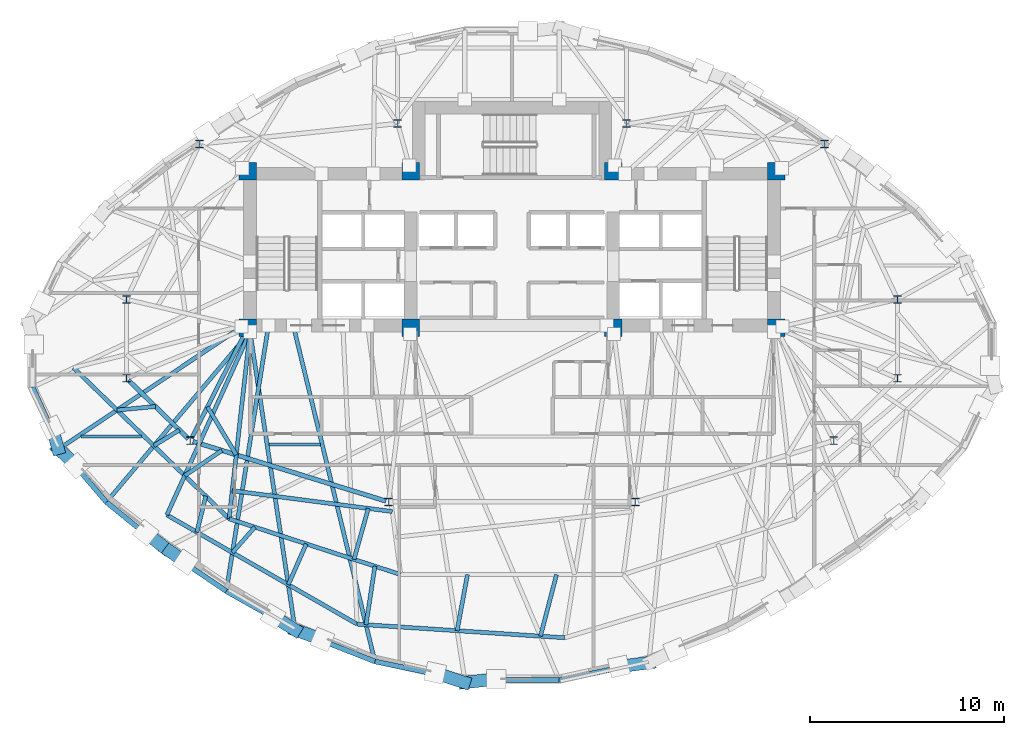
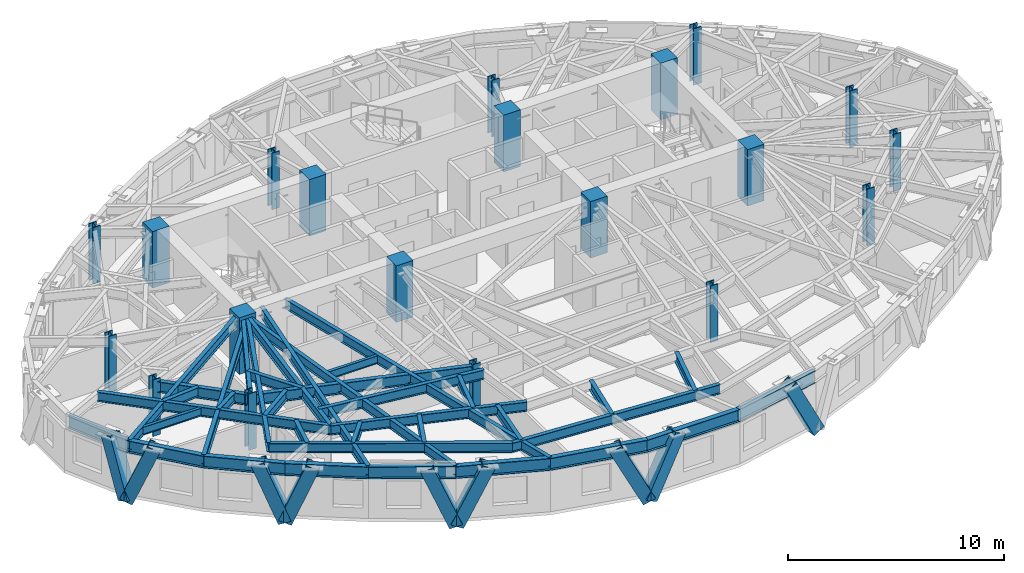
# One storey, part 1 of 14: 37 beams, 20 columns, 9 members.
"""IFC4 building model written with IfcOpenShell, lengths in metres."""

from ifc_helpers import new_model, si_unit, direction, frame, origin, origin_2d, place, context, subcontext, project, spatial, rectangle, hollow_rectangle, i_section, extrude, material, material_profile, profile_set, type_object, element, save


model = new_model("IFC4")

# Units and contexts
model_context = context("Model", 3, precision=1e-05, world=origin(), true_north=direction((0.0, 1.0)))
body_context = subcontext(model_context, "Body", "Model", "MODEL_VIEW")
ifc_project = project(units=[si_unit("LENGTHUNIT", "METRE"), si_unit("AREAUNIT", "SQUARE_METRE"), si_unit("VOLUMEUNIT", "CUBIC_METRE"), si_unit("PLANEANGLEUNIT", "RADIAN"), si_unit("MASSUNIT", "GRAM", prefix="KILO")], contexts=[model_context])

# Site, building, storey
site_placement = place(None, origin())
site = spatial("IfcSite", under=ifc_project, at=site_placement, CompositionType="ELEMENT")
building_placement = place(site_placement, origin())
building = spatial("IfcBuilding", under=site, at=building_placement, Name="Keldmark Tower", CompositionType="ELEMENT")
storey_placement = place(building_placement, frame((0.0, 0.0, 185.39990234375)))
storey = spatial("IfcBuildingStorey", under=building, at=storey_placement, Name="L51", CompositionType="ELEMENT", Elevation=185.39990234375)

# Columns
ifc_material_1 = material(Name="Concrete C50/60", Category="concrete")
ifc_material_profile_1 = material_profile(ifc_material_1, rectangle(XDim=0.89990234375, YDim=0.89990234375, at=origin_2d()), Name="RC900X900")
ifc_profile_set_1 = profile_set([ifc_material_profile_1], Name="Concrete C50/60")
column_type_1 = type_object("IfcColumnType", Name="Core Boundary Column RC900", PredefinedType="COLUMN", material=ifc_profile_set_1)
for number, where, z_axis, x_axis, name in (
    (1, (-13.60009765625, 1.39990234375, 0.0), (0.0, 0.0, 1.0), (1.0, 0.0, 0.0), "L51 Core Boundary Column CC-W1"),
    (2, (-13.60009765625, 9.449951171875, 0.0), (0.0, 0.0, 1.0), (1.0, 0.0, 0.0), "L51 Core Boundary Column CC-W2"),
    (3, (-5.199951171875, 1.39990234375, 0.0), (0.0, 0.0, 1.0), (1.0, 0.0, 0.0), "L51 Core Boundary Column CC-W3"),
    (4, (-5.199951171875, 9.449951171875, 0.0), (0.0, 0.0, 1.0), (1.0, 0.0, 0.0), "L51 Core Boundary Column CC-W4"),
    (5, (5.199951171875, 1.39990234375, 0.0), (0.0, 0.0, 1.0), (1.0, 0.0, 0.0), "L51 Core Boundary Column CC-E1"),
    (6, (5.199951171875, 9.449951171875, 0.0), (0.0, 0.0, 1.0), (1.0, 0.0, 0.0), "L51 Core Boundary Column CC-E2"),
    (7, (13.60009765625, 1.39990234375, 0.0), (0.0, 0.0, 1.0), (1.0, 0.0, 0.0), "L51 Core Boundary Column CC-E3"),
    (8, (13.60009765625, 9.449951171875, 0.0), (0.0, 0.0, 1.0), (1.0, 0.0, 0.0), "L51 Core Boundary Column CC-E4"),
):
    element("IfcColumn", number, at=place(storey_placement, frame(where, z_axis=z_axis, x_axis=x_axis)), inside=storey, type_object=column_type_1, Name=name, PredefinedType="COLUMN", context=body_context, shape_type="SweptSolid", body=[
        extrude(rectangle(XDim=0.89990234375, YDim=0.89990234375, at=origin_2d()), origin(), (0.0, 0.0, 1.0), 3.2001953125),
    ])
ifc_material_2 = material(Name="Steel ASTM A992 Grade 50", Category="steel")
ifc_material_profile_2 = material_profile(ifc_material_2, i_section(OverallWidth=0.404052734375, OverallDepth=0.406982421875, WebThickness=0.027099609375, FlangeThickness=0.043701171875, at=origin_2d()), Name="W14X233")
ifc_profile_set_2 = profile_set([ifc_material_profile_2], Name="Steel ASTM A992 Grade 50")
column_type_2 = type_object("IfcColumnType", Name="Tower Gravity Column W14X233", PredefinedType="COLUMN", material=ifc_profile_set_2)
for number, where, z_axis, x_axis, name in (
    (9, (19.828369140625, 2.869140625, 0.0), (0.0, 0.0, 1.0), (1.0, 0.0, 0.0), "L51 Tower Gravity Column TC-E1"),
    (10, (16.08154296875, 10.861083984375, 0.0), (0.0, 0.0, 1.0), (1.0, 0.0, 0.0), "L51 Tower Gravity Column TC-E4"),
    (11, (5.880126953125, 11.915283203125, 0.0), (0.0, 0.0, 1.0), (1.0, 0.0, 0.0), "L51 Tower Gravity Column TC-N2"),
    (12, (-5.880126953125, 11.915283203125, 0.0), (0.0, 0.0, 1.0), (1.0, 0.0, 0.0), "L51 Tower Gravity Column TC-N1"),
    (13, (-16.08154296875, 10.861083984375, 0.0), (0.0, 0.0, 1.0), (1.0, 0.0, 0.0), "L51 Tower Gravity Column TC-W4"),
    (14, (-19.828369140625, 2.869140625, 0.0), (0.0, 0.0, 1.0), (1.0, 0.0, 0.0), "L51 Tower Gravity Column TC-W1"),
    (15, (-19.828369140625, -1.189208984375, 0.0), (0.0, 0.0, 1.0), (1.0, 0.0, 0.0), "L51 Tower Gravity Column TC-W5"),
    (16, (-16.546630859375, -4.3984375, 0.0), (0.0, 0.0, 1.0), (1.0, 0.0, 0.0), "L51 Tower Gravity Column TC-W2"),
    (17, (-6.351318359375, -7.546142578125, 0.0), (0.0, 0.0, 1.0), (1.0, 0.0, 0.0), "L51 Tower Gravity Column TC-W3"),
    (18, (6.351318359375, -7.546142578125, 0.0), (0.0, 0.0, 1.0), (1.0, 0.0, 0.0), "L51 Tower Gravity Column TC-E3"),
    (19, (16.546630859375, -4.3984375, 0.0), (0.0, 0.0, 1.0), (1.0, 0.0, 0.0), "L51 Tower Gravity Column TC-E2"),
    (20, (19.828369140625, -1.189208984375, 0.0), (0.0, 0.0, 1.0), (1.0, 0.0, 0.0), "L51 Tower Gravity Column TC-E5"),
):
    element("IfcColumn", number, at=place(storey_placement, frame(where, z_axis=z_axis, x_axis=x_axis)), inside=storey, type_object=column_type_2, Name=name, PredefinedType="COLUMN", context=body_context, shape_type="SweptSolid", body=[
        extrude(i_section(OverallWidth=0.404052734375, OverallDepth=0.406982421875, WebThickness=0.027099609375, FlangeThickness=0.043701171875, at=origin_2d()), origin(), (0.0, 0.0, 1.0), 3.2001953125),
    ])

# Beams
ifc_material_3 = material(Name="Steel ASTM A992 Grade 50", Category="steel")
ifc_material_profile_3 = material_profile(ifc_material_3, i_section(OverallWidth=0.153076171875, OverallDepth=0.455078125, WebThickness=0.008056640625, FlangeThickness=0.01318359375, at=origin_2d()), Name="W18X40")
ifc_profile_set_3 = profile_set([ifc_material_profile_3], Name="Steel ASTM A992 Grade 50")
beam_type_1 = type_object("IfcBeamType", Name="Composite Floor Joist W18X40", PredefinedType="JOIST", material=ifc_profile_set_3)
beam_1_placement = place(storey_placement, frame((-22.165283203125, -4.179931640625, 2.79248046875), z_axis=(1.0, 0.0, 0.0), x_axis=(0.0, 1.0, 0.0)))
element("IfcBeam", 21, at=beam_1_placement, inside=storey, type_object=beam_type_1, Name="L51 Composite Floor Joist J01", PredefinedType="JOIST", context=body_context, shape_type="SweptSolid", body=[
    extrude(i_section(OverallWidth=0.153076171875, OverallDepth=0.455078125, WebThickness=0.008056640625, FlangeThickness=0.01318359375, at=origin_2d()), origin(), (0.0, 0.0, 1.0), 3.110107421875),
])
beam_2_placement = place(storey_placement, frame((-12.49951171875, -4.60009765625, 2.79248046875), z_axis=(1.0, 0.0, 0.0), x_axis=(0.0, 1.0, 0.0)))
element("IfcBeam", 22, at=beam_2_placement, inside=storey, type_object=beam_type_1, Name="L51 Composite Floor Joist J02", PredefinedType="JOIST", context=body_context, shape_type="SweptSolid", body=[
    extrude(i_section(OverallWidth=0.153076171875, OverallDepth=0.455078125, WebThickness=0.008056640625, FlangeThickness=0.01318359375, at=origin_2d()), origin(), (0.0, 0.0, 1.0), 2.639404296875),
])

# Members
ifc_material_4 = material(Name="Steel ASTM A572 Grade 50", Category="steel")
ifc_material_profile_4 = material_profile(ifc_material_4, hollow_rectangle(XDim=0.64990234375, YDim=0.64990234375, WallThickness=0.0400390625, at=origin_2d()), Name="BOX650X650X40")
ifc_profile_set_4 = profile_set([ifc_material_profile_4], Name="Steel ASTM A572 Grade 50")
member_type = type_object("IfcMemberType", Name="Diagrid Zone 3 Brace BOX650X650X40", PredefinedType="BRACE", material=ifc_profile_set_4)
member_1_placement = place(storey_placement, frame((-23.350830078125, -4.808349609375, -0.260009765625), z_axis=(-0.089996271343, 0.321904138841, 0.942485223514), x_axis=(-0.963070279152, -0.269250139116, 0.0)))
element("IfcMember", 23, at=member_1_placement, inside=storey, type_object=member_type, Name="L51 Perimeter Diagrid Brace 09A", PredefinedType="BRACE", context=body_context, shape_type="SweptSolid", body=[
    extrude(hollow_rectangle(XDim=0.64990234375, YDim=0.64990234375, WallThickness=0.0400390625, at=origin_2d()), origin(), (0.0, 0.0, 1.0), 3.35302734375),
])
member_2_placement = place(storey_placement, frame((-23.353271484375, -4.796875, -0.260009765625), z_axis=(0.281525209892, -0.260621285285, 0.923482594233), x_axis=(0.67933756966, 0.733825910178, 0.0)))
element("IfcMember", 24, at=member_2_placement, inside=storey, type_object=member_type, Name="L51 Perimeter Diagrid Brace 09B", PredefinedType="BRACE", context=body_context, shape_type="SweptSolid", body=[
    extrude(hollow_rectangle(XDim=0.64990234375, YDim=0.64990234375, WallThickness=0.0400390625, at=origin_2d()), origin(), (0.0, 0.0, 1.0), 3.422119140625),
])
member_3_placement = place(storey_placement, frame((-17.83837890625, -9.92578125, -0.260009765625), z_axis=(-0.293490817349, 0.232528970738, 0.927250461256), x_axis=(-0.621001812969, -0.78380912746, 0.0)))
element("IfcMember", 25, at=member_3_placement, inside=storey, type_object=member_type, Name="L51 Perimeter Diagrid Brace 10A", PredefinedType="BRACE", context=body_context, shape_type="SweptSolid", body=[
    extrude(hollow_rectangle(XDim=0.64990234375, YDim=0.64990234375, WallThickness=0.0400390625, at=origin_2d()), origin(), (0.0, 0.0, 1.0), 3.408203125),
])
member_4_placement = place(storey_placement, frame((-17.8447265625, -9.916015625, -0.260009765625), z_axis=(0.309430644364, -0.215041416816, 0.926288219391), x_axis=(0.570680492407, 0.821172196063, 0.0)))
element("IfcMember", 26, at=member_4_placement, inside=storey, type_object=member_type, Name="L51 Perimeter Diagrid Brace 10B", PredefinedType="BRACE", context=body_context, shape_type="SweptSolid", body=[
    extrude(hollow_rectangle(XDim=0.64990234375, YDim=0.64990234375, WallThickness=0.0400390625, at=origin_2d()), origin(), (0.0, 0.0, 1.0), 3.41162109375),
])
member_5_placement = place(storey_placement, frame((-11.1455078125, -14.137939453125, -0.260009765625), z_axis=(-0.33433872964, 0.206244226975, 0.919609119519), x_axis=(-0.525015355941, -0.851092754068, 0.0)))
element("IfcMember", 27, at=member_5_placement, inside=storey, type_object=member_type, Name="L51 Perimeter Diagrid Brace 11A", PredefinedType="BRACE", context=body_context, shape_type="SweptSolid", body=[
    extrude(hollow_rectangle(XDim=0.64990234375, YDim=0.64990234375, WallThickness=0.0400390625, at=origin_2d()), origin(), (0.0, 0.0, 1.0), 3.4365234375),
])
member_6_placement = place(storey_placement, frame((-11.1552734375, -14.13134765625, -0.260009765625), z_axis=(0.400790051436, -0.142220335768, 0.905063926341), x_axis=(0.334419266323, 0.942424402439, 0.0)))
element("IfcMember", 28, at=member_6_placement, inside=storey, type_object=member_type, Name="L51 Perimeter Diagrid Brace 11B", PredefinedType="BRACE", context=body_context, shape_type="SweptSolid", body=[
    extrude(hollow_rectangle(XDim=0.64990234375, YDim=0.64990234375, WallThickness=0.0400390625, at=origin_2d()), origin(), (0.0, 0.0, 1.0), 3.49169921875),
])
member_7_placement = place(storey_placement, frame((-2.437255859375, -16.83837890625, -0.260009765625), z_axis=(-0.427772819315, 0.141188481319, 0.892791256565), x_axis=(-0.313424400134, -0.949613155659, 0.0)))
element("IfcMember", 29, at=member_7_placement, inside=storey, type_object=member_type, Name="L51 Perimeter Diagrid Brace 12A", PredefinedType="BRACE", context=body_context, shape_type="SweptSolid", body=[
    extrude(hollow_rectangle(XDim=0.64990234375, YDim=0.64990234375, WallThickness=0.0400390625, at=origin_2d()), origin(), (0.0, 0.0, 1.0), 3.53955078125),
])
member_8_placement = place(storey_placement, frame((-2.44873046875, -16.836181640625, -0.260009765625), z_axis=(0.461153767869, 0.050235509887, 0.885897057183), x_axis=(-0.10829375195, 0.9941189382, 0.0)))
element("IfcMember", 30, at=member_8_placement, inside=storey, type_object=member_type, Name="L51 Perimeter Diagrid Brace 12B", PredefinedType="BRACE", context=body_context, shape_type="SweptSolid", body=[
    extrude(hollow_rectangle(XDim=0.64990234375, YDim=0.64990234375, WallThickness=0.0400390625, at=origin_2d()), origin(), (0.0, 0.0, 1.0), 3.567138671875),
])
member_9_placement = place(storey_placement, frame((7.095703125, -15.81103515625, -0.260009765625), z_axis=(-0.449219216168, -0.057788243233, 0.891550679866), x_axis=(0.127590131291, -0.991826980071, 0.0)))
element("IfcMember", 31, at=member_9_placement, inside=storey, type_object=member_type, Name="L51 Perimeter Diagrid Brace 13A", PredefinedType="BRACE", context=body_context, shape_type="SweptSolid", body=[
    extrude(hollow_rectangle(XDim=0.64990234375, YDim=0.64990234375, WallThickness=0.0400390625, at=origin_2d()), origin(), (0.0, 0.0, 1.0), 3.544677734375),
])

# Beams
ifc_material_5 = material(Name="Steel ASTM A992 Grade 50", Category="steel")
ifc_material_profile_5 = material_profile(ifc_material_5, i_section(OverallWidth=0.22900390625, OverallDepth=0.612060546875, WebThickness=0.011962890625, FlangeThickness=0.01953125, at=origin_2d()), Name="W24X84")
ifc_profile_set_5 = profile_set([ifc_material_profile_5], Name="Steel ASTM A992 Grade 50")
beam_type_2 = type_object("IfcBeamType", Name="Primary Floor Girder W24X84", PredefinedType="BEAM", material=ifc_profile_set_5)
beam_3_placement = place(storey_placement, frame((-19.728271484375, -1.287109375, 2.714111328125), z_axis=(0.714964509815, -0.699160746684, 0.0), x_axis=(0.699160746684, 0.714964509815, 0.0)))
element("IfcBeam", 32, at=beam_3_placement, inside=storey, type_object=beam_type_2, Name="L51 Floor Ring Girder FG-R07", PredefinedType="BEAM", context=body_context, shape_type="SweptSolid", body=[
    extrude(i_section(OverallWidth=0.22900390625, OverallDepth=0.612060546875, WebThickness=0.011962890625, FlangeThickness=0.01953125, at=origin_2d()), origin(), (0.0, 0.0, 1.0), 4.31005859375),
])
beam_4_placement = place(storey_placement, frame((-16.412841796875, -4.439697265625, 2.714111328125), z_axis=(0.955494563145, -0.295008711398, 0.0), x_axis=(0.295008711398, 0.955494563145, 0.0)))
element("IfcBeam", 33, at=beam_4_placement, inside=storey, type_object=beam_type_2, Name="L51 Floor Ring Girder FG-R08", PredefinedType="BEAM", context=body_context, shape_type="SweptSolid", body=[
    extrude(i_section(OverallWidth=0.22900390625, OverallDepth=0.612060546875, WebThickness=0.011962890625, FlangeThickness=0.01953125, at=origin_2d()), origin(), (0.0, 0.0, 1.0), 10.39013671875),
])
ifc_material_6 = material(Name="Steel ASTM A992 Grade 50", Category="steel")
ifc_material_profile_6 = material_profile(ifc_material_6, i_section(OverallWidth=0.2099609375, OverallDepth=0.537109375, WebThickness=0.010986328125, FlangeThickness=0.017333984375, at=origin_2d()), Name="W21X68")
ifc_profile_set_6 = profile_set([ifc_material_profile_6], Name="Steel ASTM A992 Grade 50")
beam_type_3 = type_object("IfcBeamType", Name="Radial Tie Girder W21X68", PredefinedType="BEAM", material=ifc_profile_set_6)
beam_5_placement = place(storey_placement, frame((-16.4833984375, -4.273681640625, 2.751708984375), z_axis=(0.453036691775, 0.891491870914, 0.0), x_axis=(-0.891491870914, 0.453036691775, 0.0)))
element("IfcBeam", 34, at=beam_5_placement, inside=storey, type_object=beam_type_3, Name="L51 Floor Radial Girder FG-C08", PredefinedType="BEAM", context=body_context, shape_type="SweptSolid", body=[
    extrude(i_section(OverallWidth=0.2099609375, OverallDepth=0.537109375, WebThickness=0.010986328125, FlangeThickness=0.017333984375, at=origin_2d()), origin(), (0.0, 0.0, 1.0), 6.044189453125),
])
beam_6_placement = place(storey_placement, frame((-15.661865234375, -2.6572265625, 2.751708984375), z_axis=(0.513610401836, -0.858023516651, 0.0), x_axis=(0.858023516651, 0.513610401836, 0.0)))
element("IfcBeam", 35, at=beam_6_placement, inside=storey, type_object=beam_type_3, Name="L51 Framing Pin Header PH-002", PredefinedType="BEAM", context=body_context, shape_type="SweptSolid", body=[
    extrude(i_section(OverallWidth=0.2099609375, OverallDepth=0.537109375, WebThickness=0.010986328125, FlangeThickness=0.017333984375, at=origin_2d()), origin(), (0.0, 0.0, 1.0), 2.880126953125),
])
beam_7_placement = place(storey_placement, frame((-13.47509765625, 1.199951171875, 2.751708984375), z_axis=(-0.111093361352, -0.993809974323, 0.0), x_axis=(0.993809974323, -0.111093361352, 0.0)))
element("IfcBeam", 36, at=beam_7_placement, inside=storey, type_object=beam_type_3, Name="L51 Sub-Ring Step Girder STP1-M08", PredefinedType="BEAM", context=body_context, shape_type="SweptSolid", body=[
    extrude(i_section(OverallWidth=0.2099609375, OverallDepth=0.537109375, WebThickness=0.010986328125, FlangeThickness=0.017333984375, at=origin_2d()), origin(), (0.0, 0.0, 1.0), 9.676025390625),
])
beam_8_placement = place(storey_placement, frame((-14.388916015625, -6.973876953125, 2.751708984375), z_axis=(0.991657384305, -0.128901637516, 0.0), x_axis=(0.128901637516, 0.991657384305, 0.0)))
element("IfcBeam", 37, at=beam_8_placement, inside=storey, type_object=beam_type_3, Name="L51 Framing Pin Header PH-003", PredefinedType="BEAM", context=body_context, shape_type="SweptSolid", body=[
    extrude(i_section(OverallWidth=0.2099609375, OverallDepth=0.537109375, WebThickness=0.010986328125, FlangeThickness=0.017333984375, at=origin_2d()), origin(), (0.0, 0.0, 1.0), 8.301513671875),
])
beam_9_placement = place(storey_placement, frame((-22.55810546875, -0.64453125, 2.751708984375), z_axis=(0.717616387202, -0.696438598025, 0.0), x_axis=(0.696438598025, 0.717616387202, 0.0)))
element("IfcBeam", 38, at=beam_9_placement, inside=storey, type_object=beam_type_3, Name="L51 Perimeter Collector Ring Beam CRG1-M07", PredefinedType="BEAM", context=body_context, shape_type="SweptSolid", body=[
    extrude(i_section(OverallWidth=0.2099609375, OverallDepth=0.537109375, WebThickness=0.010986328125, FlangeThickness=0.017333984375, at=origin_2d()), origin(), (0.0, 0.0, 1.0), 11.1591796875),
])
beam_10_placement = place(storey_placement, frame((-14.550048828125, -8.416259765625, 2.751708984375), z_axis=(0.950971006034, -0.309280044106, 0.0), x_axis=(0.309280044106, 0.950971006034, 0.0)))
element("IfcBeam", 39, at=beam_10_placement, inside=storey, type_object=beam_type_3, Name="L51 Perimeter Collector Ring Beam CRG1-M08", PredefinedType="BEAM", context=body_context, shape_type="SweptSolid", body=[
    extrude(i_section(OverallWidth=0.2099609375, OverallDepth=0.537109375, WebThickness=0.010986328125, FlangeThickness=0.017333984375, at=origin_2d()), origin(), (0.0, 0.0, 1.0), 9.277587890625),
])
beam_11_placement = place(storey_placement, frame((-14.923583984375, -4.8994140625, 2.751708984375), z_axis=(-0.82651557959, -0.562913844824, 0.0), x_axis=(0.562913844824, -0.82651557959, 0.0)))
element("IfcBeam", 40, at=beam_11_placement, inside=storey, type_object=beam_type_3, Name="L51 Framing Pin Header PH-007", PredefinedType="BEAM", context=body_context, shape_type="SweptSolid", body=[
    extrude(i_section(OverallWidth=0.2099609375, OverallDepth=0.537109375, WebThickness=0.010986328125, FlangeThickness=0.017333984375, at=origin_2d()), origin(), (0.0, 0.0, 1.0), 2.310791015625),
])
beam_12_placement = place(storey_placement, frame((-13.47509765625, 1.199951171875, 2.751708984375), z_axis=(-0.413281900099, -0.910603135867, 0.0), x_axis=(0.910603135867, -0.413281900099, 0.0)))
element("IfcBeam", 41, at=beam_12_placement, inside=storey, type_object=beam_type_3, Name="L51 Sub-Ring Step Girder STP2-M08", PredefinedType="BEAM", context=body_context, shape_type="SweptSolid", body=[
    extrude(i_section(OverallWidth=0.2099609375, OverallDepth=0.537109375, WebThickness=0.010986328125, FlangeThickness=0.017333984375, at=origin_2d()), origin(), (0.0, 0.0, 1.0), 10.344970703125),
])
beam_13_placement = place(storey_placement, frame((-7.3916015625, -7.883544921875, 2.751708984375), z_axis=(-0.269992439339, -0.962862442252, 0.0), x_axis=(0.962862442252, -0.269992439339, 0.0)))
element("IfcBeam", 42, at=beam_13_placement, inside=storey, type_object=beam_type_3, Name="L51 Framing Pin Header PH-008", PredefinedType="BEAM", context=body_context, shape_type="SweptSolid", body=[
    extrude(i_section(OverallWidth=0.2099609375, OverallDepth=0.537109375, WebThickness=0.010986328125, FlangeThickness=0.017333984375, at=origin_2d()), origin(), (0.0, 0.0, 1.0), 2.72265625),
])
beam_14_placement = place(storey_placement, frame((-17.75048828125, -8.22021484375, 2.751708984375), z_axis=(0.867249116385, -0.497874452175, 0.0), x_axis=(0.497874452175, 0.867249116385, 0.0)))
element("IfcBeam", 43, at=beam_14_placement, inside=storey, type_object=beam_type_3, Name="L51 Perimeter Collector Ring Beam CRG2-M08", PredefinedType="BEAM", context=body_context, shape_type="SweptSolid", body=[
    extrude(i_section(OverallWidth=0.2099609375, OverallDepth=0.537109375, WebThickness=0.010986328125, FlangeThickness=0.017333984375, at=origin_2d()), origin(), (0.0, 0.0, 1.0), 11.27978515625),
])
beam_15_placement = place(storey_placement, frame((-7.968017578125, -13.836181640625, 2.751708984375), z_axis=(0.99786102574, -0.065371043348, 0.0), x_axis=(0.065371043348, 0.99786102574, 0.0)))
element("IfcBeam", 44, at=beam_15_placement, inside=storey, type_object=beam_type_3, Name="L51 Perimeter Collector Ring Beam CRG2-M09", PredefinedType="BEAM", context=body_context, shape_type="SweptSolid", body=[
    extrude(i_section(OverallWidth=0.2099609375, OverallDepth=0.537109375, WebThickness=0.010986328125, FlangeThickness=0.017333984375, at=origin_2d()), origin(), (0.0, 0.0, 1.0), 10.699951171875),
])
beam_16_placement = place(storey_placement, frame((-18.341552734375, -2.643310546875, 2.751708984375), z_axis=(-0.995811902929, -0.091425674646, 0.0), x_axis=(0.091425674646, -0.995811902929, 0.0)))
element("IfcBeam", 45, at=beam_16_placement, inside=storey, type_object=beam_type_3, Name="L51 Framing Pin Header PH-020", PredefinedType="BEAM", context=body_context, shape_type="SweptSolid", body=[
    extrude(i_section(OverallWidth=0.2099609375, OverallDepth=0.537109375, WebThickness=0.010986328125, FlangeThickness=0.017333984375, at=origin_2d()), origin(), (0.0, 0.0, 1.0), 1.978759765625),
])
beam_17_placement = place(storey_placement, frame((-13.800048828125, 1.52490234375, 2.751708984375), z_axis=(-0.831586742156, -0.555394895791, 0.0), x_axis=(0.555394895791, -0.831586742156, 0.0)))
element("IfcBeam", 46, at=beam_17_placement, inside=storey, type_object=beam_type_3, Name="L51 Perimeter Radial Tie Girder RT-18", PredefinedType="BEAM", context=body_context, shape_type="SweptSolid", body=[
    extrude(i_section(OverallWidth=0.2099609375, OverallDepth=0.537109375, WebThickness=0.010986328125, FlangeThickness=0.017333984375, at=origin_2d()), origin(), (0.0, 0.0, 1.0), 11.350830078125),
])
beam_18_placement = place(storey_placement, frame((-17.10888671875, -3.8486328125, 2.751708984375), z_axis=(-0.849569205042, -0.527477170922, 0.0), x_axis=(0.527477170922, -0.849569205042, 0.0)))
element("IfcBeam", 47, at=beam_18_placement, inside=storey, type_object=beam_type_3, Name="L51 Framing Pin Header PH-021", PredefinedType="BEAM", context=body_context, shape_type="SweptSolid", body=[
    extrude(i_section(OverallWidth=0.2099609375, OverallDepth=0.537109375, WebThickness=0.010986328125, FlangeThickness=0.017333984375, at=origin_2d()), origin(), (0.0, 0.0, 1.0), 1.541748046875),
])
beam_19_placement = place(storey_placement, frame((-13.47509765625, 1.199951171875, 2.751708984375), z_axis=(-0.644689299827, -0.764444704795, 0.0), x_axis=(0.764444704795, -0.644689299827, 0.0)))
element("IfcBeam", 48, at=beam_19_placement, inside=storey, type_object=beam_type_3, Name="L51 Perimeter Radial Tie Girder RT-19", PredefinedType="BEAM", context=body_context, shape_type="SweptSolid", body=[
    extrude(i_section(OverallWidth=0.2099609375, OverallDepth=0.537109375, WebThickness=0.010986328125, FlangeThickness=0.017333984375, at=origin_2d()), origin(), (0.0, 0.0, 1.0), 11.459228515625),
])
beam_20_placement = place(storey_placement, frame((-15.751220703125, -7.25048828125, 2.751708984375), z_axis=(-0.238926377795, -0.971037685156, 0.0), x_axis=(0.971037685156, -0.238926377795, 0.0)))
element("IfcBeam", 49, at=beam_20_placement, inside=storey, type_object=beam_type_3, Name="L51 Framing Pin Header PH-022", PredefinedType="BEAM", context=body_context, shape_type="SweptSolid", body=[
    extrude(i_section(OverallWidth=0.2099609375, OverallDepth=0.537109375, WebThickness=0.010986328125, FlangeThickness=0.017333984375, at=origin_2d()), origin(), (0.0, 0.0, 1.0), 1.910888671875),
])
beam_21_placement = place(storey_placement, frame((-13.226806640625, -8.8466796875, 2.751708984375), z_axis=(-0.661116857817, -0.750282946834, 0.0), x_axis=(0.750282946834, -0.661116857817, 0.0)))
element("IfcBeam", 50, at=beam_21_placement, inside=storey, type_object=beam_type_3, Name="L51 Framing Pin Header PH-023", PredefinedType="BEAM", context=body_context, shape_type="SweptSolid", body=[
    extrude(i_section(OverallWidth=0.2099609375, OverallDepth=0.537109375, WebThickness=0.010986328125, FlangeThickness=0.017333984375, at=origin_2d()), origin(), (0.0, 0.0, 1.0), 1.744140625),
])
beam_22_placement = place(storey_placement, frame((-12.52490234375, 1.52490234375, 2.751708984375), z_axis=(-0.156842406, -0.98762364273, 0.0), x_axis=(0.98762364273, -0.156842406, 0.0)))
element("IfcBeam", 51, at=beam_22_placement, inside=storey, type_object=beam_type_3, Name="L51 Perimeter Radial Tie Girder RT-21", PredefinedType="BEAM", context=body_context, shape_type="SweptSolid", body=[
    extrude(i_section(OverallWidth=0.2099609375, OverallDepth=0.537109375, WebThickness=0.010986328125, FlangeThickness=0.017333984375, at=origin_2d()), origin(), (0.0, 0.0, 1.0), 13.8349609375),
])
beam_23_placement = place(storey_placement, frame((-10.579833984375, -9.70751953125, 2.751708984375), z_axis=(-0.403726705214, -0.914879635524, 0.0), x_axis=(0.914879635524, -0.403726705214, 0.0)))
element("IfcBeam", 52, at=beam_23_placement, inside=storey, type_object=beam_type_3, Name="L51 Framing Pin Header PH-024", PredefinedType="BEAM", context=body_context, shape_type="SweptSolid", body=[
    extrude(i_section(OverallWidth=0.2099609375, OverallDepth=0.537109375, WebThickness=0.010986328125, FlangeThickness=0.017333984375, at=origin_2d()), origin(), (0.0, 0.0, 1.0), 2.29296875),
])
beam_24_placement = place(storey_placement, frame((-13.47509765625, 1.199951171875, 2.751708984375), z_axis=(0.149721959466, -0.988728140013, 0.0), x_axis=(0.988728140013, 0.149721959466, 0.0)))
element("IfcBeam", 53, at=beam_24_placement, inside=storey, type_object=beam_type_3, Name="L51 Perimeter Radial Tie Girder RT-22", PredefinedType="BEAM", context=body_context, shape_type="SweptSolid", body=[
    extrude(i_section(OverallWidth=0.2099609375, OverallDepth=0.537109375, WebThickness=0.010986328125, FlangeThickness=0.017333984375, at=origin_2d()), origin(), (0.0, 0.0, 1.0), 15.5185546875),
])
beam_25_placement = place(storey_placement, frame((-7.050537109375, -10.855224609375, 2.751708984375), z_axis=(-0.150370468122, -0.988629719519, 0.0), x_axis=(0.988629719519, -0.150370468122, 0.0)))
element("IfcBeam", 54, at=beam_25_placement, inside=storey, type_object=beam_type_3, Name="L51 Framing Pin Header PH-025", PredefinedType="BEAM", context=body_context, shape_type="SweptSolid", body=[
    extrude(i_section(OverallWidth=0.2099609375, OverallDepth=0.537109375, WebThickness=0.010986328125, FlangeThickness=0.017333984375, at=origin_2d()), origin(), (0.0, 0.0, 1.0), 3.0458984375),
])
beam_26_placement = place(storey_placement, frame((-11.25, 1.52490234375, 2.751708984375), z_axis=(0.236205491656, -0.971703126326, 0.0), x_axis=(0.971703126326, 0.236205491656, 0.0)))
element("IfcBeam", 55, at=beam_26_placement, inside=storey, type_object=beam_type_3, Name="L51 Perimeter Radial Tie Girder RT-23", PredefinedType="BEAM", context=body_context, shape_type="SweptSolid", body=[
    extrude(i_section(OverallWidth=0.2099609375, OverallDepth=0.537109375, WebThickness=0.010986328125, FlangeThickness=0.017333984375, at=origin_2d()), origin(), (0.0, 0.0, 1.0), 17.782958984375),
])
beam_27_placement = place(storey_placement, frame((-2.291015625, -11.28564453125, 2.751708984375), z_axis=(-0.180853430741, -0.983510059221, 0.0), x_axis=(0.983510059221, -0.180853430741, 0.0)))
element("IfcBeam", 56, at=beam_27_placement, inside=storey, type_object=beam_type_3, Name="L51 Framing Pin Header PH-026", PredefinedType="BEAM", context=body_context, shape_type="SweptSolid", body=[
    extrude(i_section(OverallWidth=0.2099609375, OverallDepth=0.537109375, WebThickness=0.010986328125, FlangeThickness=0.017333984375, at=origin_2d()), origin(), (0.0, 0.0, 1.0), 2.93603515625),
])
beam_28_placement = place(storey_placement, frame((2.291015625, -11.28564453125, 2.751708984375), z_axis=(-0.252242812364, -0.967663972467, 0.0), x_axis=(0.967663972467, -0.252242812364, 0.0)))
element("IfcBeam", 57, at=beam_28_placement, inside=storey, type_object=beam_type_3, Name="L51 Framing Pin Header PH-027", PredefinedType="BEAM", context=body_context, shape_type="SweptSolid", body=[
    extrude(i_section(OverallWidth=0.2099609375, OverallDepth=0.537109375, WebThickness=0.010986328125, FlangeThickness=0.017333984375, at=origin_2d()), origin(), (0.0, 0.0, 1.0), 3.2744140625),
])
ifc_material_7 = material(Name="Steel ASTM A992 Grade 50", Category="steel")
ifc_material_profile_7 = material_profile(ifc_material_7, i_section(OverallWidth=0.256103515625, OverallDepth=0.693115234375, WebThickness=0.014404296875, FlangeThickness=0.023681640625, at=origin_2d()), Name="W27X114")
ifc_profile_set_7 = profile_set([ifc_material_profile_7], Name="Steel ASTM A992 Grade 50")
beam_type_4 = type_object("IfcBeamType", Name="Spandrel Ring Beam W27X114", PredefinedType="SPANDREL", material=ifc_profile_set_7)
beam_29_placement = place(storey_placement, frame((-24.658203125, -1.646484375, 2.673583984375), z_axis=(0.412583132773, -0.91091995178, 0.0), x_axis=(0.91091995178, 0.412583132773, 0.0)))
element("IfcBeam", 58, at=beam_29_placement, inside=storey, type_object=beam_type_4, Name="L51 Perimeter Spandrel Ring Beam SRB-17", PredefinedType="SPANDREL", context=body_context, shape_type="SweptSolid", body=[
    extrude(i_section(OverallWidth=0.256103515625, OverallDepth=0.693115234375, WebThickness=0.014404296875, FlangeThickness=0.023681640625, at=origin_2d()), origin(), (0.0, 0.0, 1.0), 3.439208984375),
])
beam_30_placement = place(storey_placement, frame((-23.2392578125, -4.779296875, 2.673583984375), z_axis=(0.649680381306, -0.760207473092, 0.0), x_axis=(0.760207473092, 0.649680381306, 0.0)))
element("IfcBeam", 59, at=beam_30_placement, inside=storey, type_object=beam_type_4, Name="L51 Perimeter Spandrel Ring Beam SRB-18", PredefinedType="SPANDREL", context=body_context, shape_type="SweptSolid", body=[
    extrude(i_section(OverallWidth=0.256103515625, OverallDepth=0.693115234375, WebThickness=0.014404296875, FlangeThickness=0.023681640625, at=origin_2d()), origin(), (0.0, 0.0, 1.0), 3.657958984375),
])
beam_31_placement = place(storey_placement, frame((-20.86279296875, -7.56005859375, 2.673583984375), z_axis=(0.776176722502, -0.630515420467, 0.0), x_axis=(0.630515420467, 0.776176722502, 0.0)))
element("IfcBeam", 60, at=beam_31_placement, inside=storey, type_object=beam_type_4, Name="L51 Perimeter Spandrel Ring Beam SRB-19", PredefinedType="SPANDREL", context=body_context, shape_type="SweptSolid", body=[
    extrude(i_section(OverallWidth=0.256103515625, OverallDepth=0.693115234375, WebThickness=0.014404296875, FlangeThickness=0.023681640625, at=origin_2d()), origin(), (0.0, 0.0, 1.0), 3.809814453125),
])
beam_32_placement = place(storey_placement, frame((-17.90576171875, -9.962158203125, 2.673583984375), z_axis=(0.82772633423, -0.56113199483, 0.0), x_axis=(0.56113199483, 0.82772633423, 0.0)))
element("IfcBeam", 61, at=beam_32_placement, inside=storey, type_object=beam_type_4, Name="L51 Perimeter Spandrel Ring Beam SRB-20", PredefinedType="SPANDREL", context=body_context, shape_type="SweptSolid", body=[
    extrude(i_section(OverallWidth=0.256103515625, OverallDepth=0.693115234375, WebThickness=0.014404296875, FlangeThickness=0.023681640625, at=origin_2d()), origin(), (0.0, 0.0, 1.0), 3.879150390625),
])
beam_33_placement = place(storey_placement, frame((-14.69482421875, -12.138916015625, 2.673583984375), z_axis=(0.870331543701, -0.492466246598, 0.0), x_axis=(0.492466246598, 0.870331543701, 0.0)))
element("IfcBeam", 62, at=beam_33_placement, inside=storey, type_object=beam_type_4, Name="L51 Perimeter Spandrel Ring Beam SRB-21", PredefinedType="SPANDREL", context=body_context, shape_type="SweptSolid", body=[
    extrude(i_section(OverallWidth=0.256103515625, OverallDepth=0.693115234375, WebThickness=0.014404296875, FlangeThickness=0.023681640625, at=origin_2d()), origin(), (0.0, 0.0, 1.0), 4.071044921875),
])
beam_34_placement = place(storey_placement, frame((-11.151611328125, -14.143798828125, 2.673583984375), z_axis=(0.930785156352, -0.365566673418, 0.0), x_axis=(0.365566673418, 0.930785156352, 0.0)))
element("IfcBeam", 63, at=beam_34_placement, inside=storey, type_object=beam_type_4, Name="L51 Perimeter Spandrel Ring Beam SRB-22", PredefinedType="SPANDREL", context=body_context, shape_type="SweptSolid", body=[
    extrude(i_section(OverallWidth=0.256103515625, OverallDepth=0.693115234375, WebThickness=0.014404296875, FlangeThickness=0.023681640625, at=origin_2d()), origin(), (0.0, 0.0, 1.0), 4.406982421875),
])
beam_35_placement = place(storey_placement, frame((-7.049560546875, -15.7548828125, 2.673583984375), z_axis=(0.979012682263, -0.2037993326, 0.0), x_axis=(0.2037993326, 0.979012682263, 0.0)))
element("IfcBeam", 64, at=beam_35_placement, inside=storey, type_object=beam_type_4, Name="L51 Perimeter Spandrel Ring Beam SRB-23", PredefinedType="SPANDREL", context=body_context, shape_type="SweptSolid", body=[
    extrude(i_section(OverallWidth=0.256103515625, OverallDepth=0.693115234375, WebThickness=0.014404296875, FlangeThickness=0.023681640625, at=origin_2d()), origin(), (0.0, 0.0, 1.0), 4.719970703125),
])
beam_36_placement = place(storey_placement, frame((-2.4287109375, -16.716796875, 2.673583984375), z_axis=(1.0, 0.0, 0.0), x_axis=(0.0, 1.0, 0.0)))
element("IfcBeam", 65, at=beam_36_placement, inside=storey, type_object=beam_type_4, Name="L51 Perimeter Spandrel Ring Beam SRB-24", PredefinedType="SPANDREL", context=body_context, shape_type="SweptSolid", body=[
    extrude(i_section(OverallWidth=0.256103515625, OverallDepth=0.693115234375, WebThickness=0.014404296875, FlangeThickness=0.023681640625, at=origin_2d()), origin(), (0.0, 0.0, 1.0), 4.857421875),
])
beam_37_placement = place(storey_placement, frame((2.4287109375, -16.716796875, 2.673583984375), z_axis=(0.979012682263, 0.2037993326, 0.0), x_axis=(-0.2037993326, 0.979012682263, 0.0)))
element("IfcBeam", 66, at=beam_37_placement, inside=storey, type_object=beam_type_4, Name="L51 Perimeter Spandrel Ring Beam SRB-25", PredefinedType="SPANDREL", context=body_context, shape_type="SweptSolid", body=[
    extrude(i_section(OverallWidth=0.256103515625, OverallDepth=0.693115234375, WebThickness=0.014404296875, FlangeThickness=0.023681640625, at=origin_2d()), origin(), (0.0, 0.0, 1.0), 4.719970703125),
])

save(model, "model.ifc")
